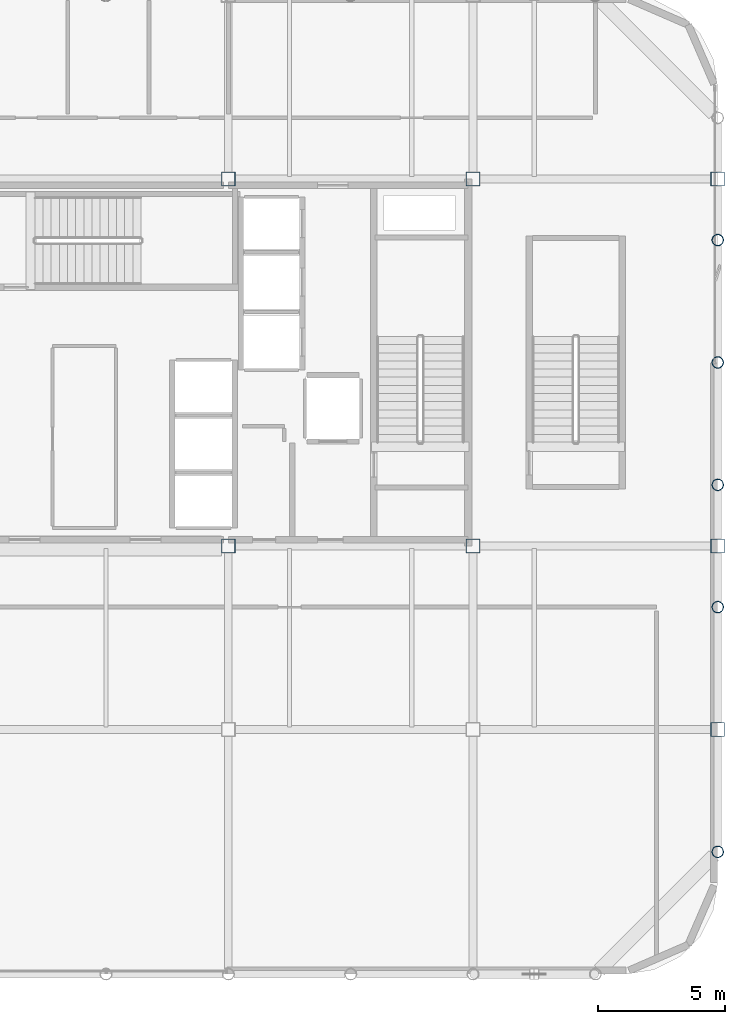
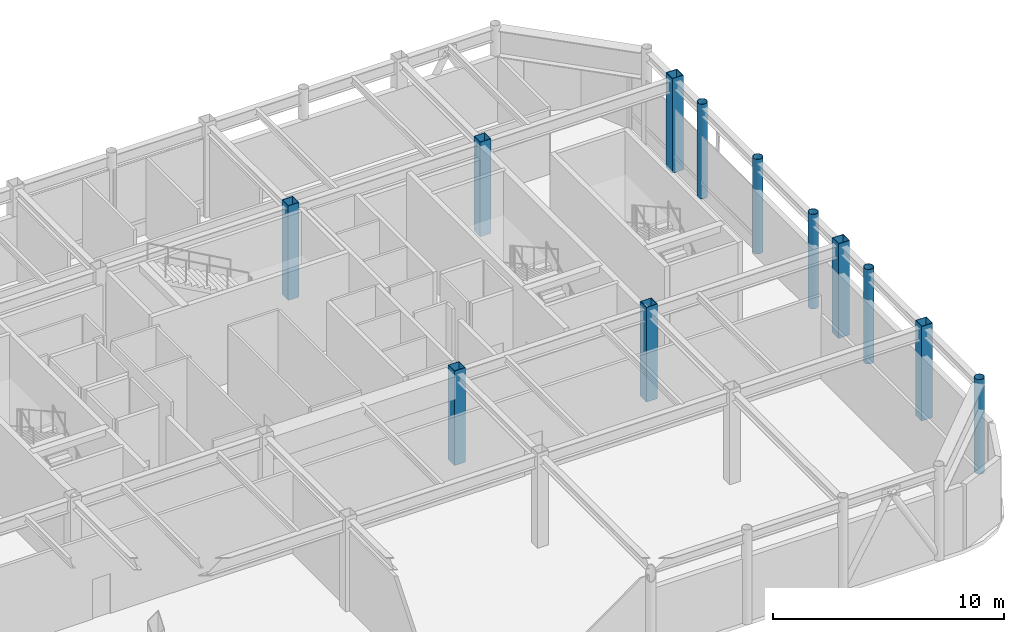
# One storey, part 2 of 21: 12 columns.
"""IFC4 building model written with IfcOpenShell, lengths in metres."""

from ifc_helpers import new_model, si_unit, direction, frame, origin, origin_2d, place, context, subcontext, project, spatial, hollow_rectangle, hollow_circle, extrude, material, material_profile, profile_set, type_object, element, save


model = new_model("IFC4")

# Units and contexts
model_context = context("Model", 3, precision=1e-05, world=origin(), true_north=direction((0.0, 1.0)))
body_context = subcontext(model_context, "Body", "Model", "MODEL_VIEW")
ifc_project = project(units=[si_unit("LENGTHUNIT", "METRE"), si_unit("AREAUNIT", "SQUARE_METRE"), si_unit("VOLUMEUNIT", "CUBIC_METRE"), si_unit("PLANEANGLEUNIT", "RADIAN"), si_unit("MASSUNIT", "GRAM", prefix="KILO")], contexts=[model_context])

# Site, building, storey
site_placement = place(None, origin())
site = spatial("IfcSite", under=ifc_project, at=site_placement, CompositionType="ELEMENT")
building_placement = place(site_placement, origin())
building = spatial("IfcBuilding", under=site, at=building_placement, Name="Kallvorn Hotel Tower", CompositionType="ELEMENT")
storey_placement = place(building_placement, frame((0.0, 0.0, 290.60009765625)))
storey = spatial("IfcBuildingStorey", under=building, at=storey_placement, Name="L72", CompositionType="ELEMENT", Elevation=290.60009765625)

# Columns
ifc_material_1 = material(Name="Structural steel S355J2H", Category="steel")
ifc_material_profile_1 = material_profile(ifc_material_1, hollow_circle(Radius=0.228515625, WallThickness=0.02001953125, at=origin_2d()), Name="CHS 457x20")
ifc_profile_set_1 = profile_set([ifc_material_profile_1], Name="Structural steel S355J2H")
column_type_1 = type_object("IfcColumnType", Name="COL_CHS_457", PredefinedType="COLUMN", material=ifc_profile_set_1)
for number, where, z_axis, x_axis, name in (
    (1, (24.0, -19.199951171875, 0.0), (0.0, 0.0, 1.0), (1.0, 0.0, 0.0), "L72 Exoskeleton Column EC23"),
    (2, (24.0, -9.60009765625, 0.0), (0.0, 0.0, 1.0), (1.0, 0.0, 0.0), "L72 Exoskeleton Column EC24"),
    (3, (24.0, -4.800048828125, 0.0), (0.0, 0.0, 1.0), (1.0, 0.0, 0.0), "L72 Exoskeleton Column EC25"),
    (4, (24.0, 0.0, 0.0), (0.0, 0.0, 1.0), (1.0, 0.0, 0.0), "L72 Exoskeleton Column EC26"),
    (5, (24.0, 4.800048828125, 0.0), (0.0, 0.0, 1.0), (1.0, 0.0, 0.0), "L72 Exoskeleton Column EC27"),
):
    element("IfcColumn", number, at=place(storey_placement, frame(where, z_axis=z_axis, x_axis=x_axis)), inside=storey, type_object=column_type_1, Name=name, PredefinedType="COLUMN", context=body_context, shape_type="SweptSolid", body=[
        extrude(hollow_circle(Radius=0.228515625, WallThickness=0.02001953125, at=origin_2d()), origin(), (0.0, 0.0, 1.0), 5.0),
    ])
ifc_material_2 = material(Name="Structural steel S355J2H", Category="steel")
ifc_material_profile_2 = material_profile(ifc_material_2, hollow_rectangle(XDim=0.550048828125, YDim=0.550048828125, WallThickness=0.02490234375, at=origin_2d()), Name="RHS 550x550x25")
ifc_profile_set_2 = profile_set([ifc_material_profile_2], Name="Structural steel S355J2H")
column_type_2 = type_object("IfcColumnType", Name="COL_RHS_550", PredefinedType="COLUMN", material=ifc_profile_set_2)
for number, where, z_axis, x_axis, name in (
    (6, (4.800048828125, -7.199951171875, 0.0), (0.0, 0.0, 1.0), (1.0, 0.0, 0.0), "L72 Inner Column IC14"),
    (7, (4.800048828125, 7.199951171875, 0.0), (0.0, 0.0, 1.0), (1.0, 0.0, 0.0), "L72 Inner Column IC15"),
    (8, (14.39990234375, -7.199951171875, 0.0), (0.0, 0.0, 1.0), (1.0, 0.0, 0.0), "L72 Inner Column IC18"),
    (9, (14.39990234375, 7.199951171875, 0.0), (0.0, 0.0, 1.0), (1.0, 0.0, 0.0), "L72 Inner Column IC19"),
    (10, (24.0, -14.39990234375, 0.0), (0.0, 0.0, 1.0), (1.0, 0.0, 0.0), "L72 Inner Column IC21"),
    (11, (24.0, -7.199951171875, 0.0), (0.0, 0.0, 1.0), (1.0, 0.0, 0.0), "L72 Inner Column IC22"),
    (12, (24.0, 7.199951171875, 0.0), (0.0, 0.0, 1.0), (1.0, 0.0, 0.0), "L72 Inner Column IC23"),
):
    element("IfcColumn", number, at=place(storey_placement, frame(where, z_axis=z_axis, x_axis=x_axis)), inside=storey, type_object=column_type_2, Name=name, PredefinedType="COLUMN", context=body_context, shape_type="SweptSolid", body=[
        extrude(hollow_rectangle(XDim=0.550048828125, YDim=0.550048828125, WallThickness=0.02490234375, at=origin_2d()), origin(), (0.0, 0.0, 1.0), 5.0),
    ])

save(model, "model.ifc")
